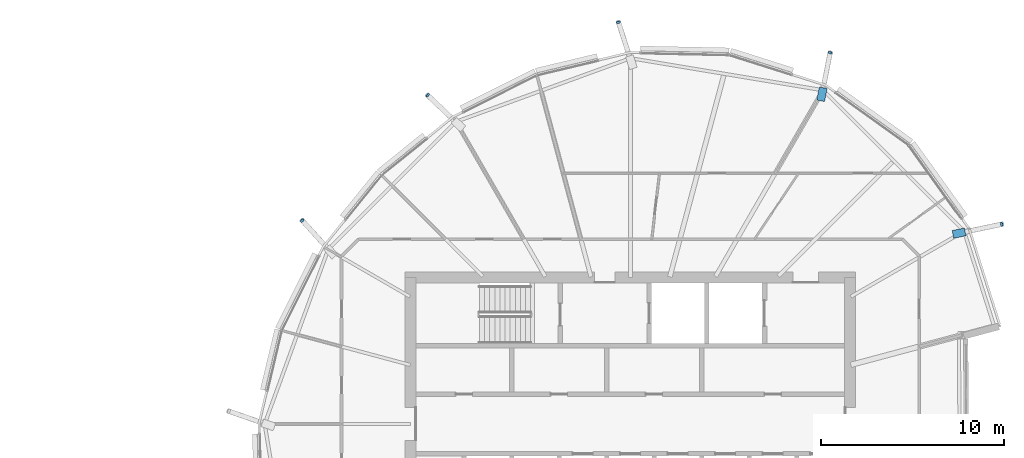
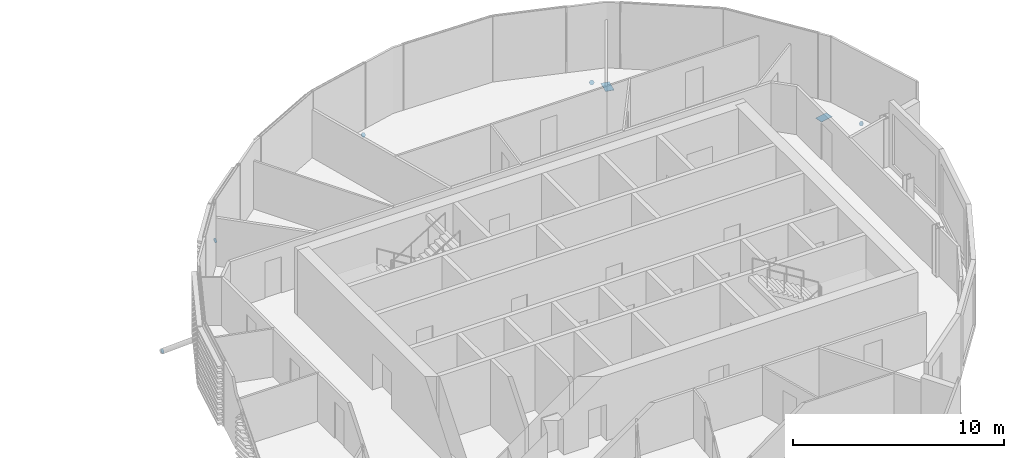
# One storey, part 29 of 35: 7 discrete accessories.
"""IFC4 building model written with IfcOpenShell, lengths in metres."""

from ifc_helpers import new_model, si_unit, direction, frame, origin, origin_2d, place, context, subcontext, project, spatial, polyline, rectangle, circle, outline, extrude, material, material_profile, profile_set, type_object, element, save


model = new_model("IFC4")

# Units and contexts
model_context = context("Model", 3, precision=1e-05, world=origin(), true_north=direction((0.0, 1.0)))
body_context = subcontext(model_context, "Body", "Model", "MODEL_VIEW")
ifc_project = project(units=[si_unit("LENGTHUNIT", "METRE"), si_unit("AREAUNIT", "SQUARE_METRE"), si_unit("VOLUMEUNIT", "CUBIC_METRE"), si_unit("PLANEANGLEUNIT", "RADIAN"), si_unit("MASSUNIT", "GRAM", prefix="KILO")], contexts=[model_context])

# Site, building, storey
site_placement = place(None, origin())
site = spatial("IfcSite", under=ifc_project, at=site_placement, CompositionType="ELEMENT")
building_placement = place(site_placement, origin())
building = spatial("IfcBuilding", under=site, at=building_placement, Name="Rimbun Link Towers", CompositionType="ELEMENT")
storey_placement = place(building_placement, frame((0.0, 0.0, 196.89990234375)))
storey = spatial("IfcBuildingStorey", under=building, at=storey_placement, Name="L48", CompositionType="ELEMENT", Elevation=196.89990234375)

# Discrete accessories
ifc_material_1 = material(Name="Steel S355J2H", Category="steel")
ifc_material_profile_1 = material_profile(ifc_material_1, circle(Radius=0.1240234375, at=origin_2d()), Name="PL D248")
ifc_profile_set_1 = profile_set([ifc_material_profile_1], Name="Steel S355J2H")
discrete_accessory_type_1 = type_object("IfcDiscreteAccessoryType", Name="Link foot sealing plate D248X20", PredefinedType="BRACKET", material=ifc_profile_set_1)
for number, where, z_axis, x_axis, name in (
    (1, (42.66064453125, 20.27197265625, -2.05029296875), (0.172106577508, 0.860532887539, -0.479439751629), (-0.980580675691, 0.196116135138, 0.0), "Link foot sealing plate T2 L48 01"),
    (2, (31.0986328125, 21.934814453125, -2.046875), (-0.258766726311, 0.837911304245, -0.480566777434), (-0.955474691182, -0.295073066394, 0.0), "Link foot sealing plate T2 L48 03"),
):
    element("IfcDiscreteAccessory", number, at=place(storey_placement, frame(where, z_axis=z_axis, x_axis=x_axis)), inside=storey, type_object=discrete_accessory_type_1, Name=name, PredefinedType="BRACKET", context=body_context, shape_type="SweptSolid", body=[
        extrude(circle(Radius=0.1240234375, at=origin_2d()), origin(), (0.0, 0.0, 1.0), 0.019775390625),
    ])
discrete_accessory_1_placement = place(storey_placement, frame((20.680908203125, 17.9482421875, -2.097412109375), z_axis=(-0.627417438637, 0.591220278716, -0.506760238899), x_axis=(-0.685801146497, -0.727788971793, 0.0)))
element("IfcDiscreteAccessory", 3, at=discrete_accessory_1_placement, inside=storey, type_object=discrete_accessory_type_1, Name="Link foot sealing plate T2 L48 05", PredefinedType="BRACKET", context=body_context, shape_type="SweptSolid", body=[
    extrude(circle(Radius=0.1240234375, at=origin_2d()), origin(), (0.0, 0.0, 1.0), 0.020263671875),
])
for number, where, z_axis, x_axis, name in (
    (4, (13.83056640625, 11.108642578125, -1.968017578125), (-0.560226254247, 0.621120412317, -0.548047422633), (-0.742569723569, -0.669768770278, 0.0), "Link foot sealing plate T2 L48 07"),
    (5, (52.023193359375, 10.907470703125, -2.031005859375), (0.832680806153, 0.17143428362, -0.526548156832), (-0.20165292067, 0.979457043257, 0.0), "Link foot sealing plate T2 L48 23"),
):
    element("IfcDiscreteAccessory", number, at=place(storey_placement, frame(where, z_axis=z_axis, x_axis=x_axis)), inside=storey, type_object=discrete_accessory_type_1, Name=name, PredefinedType="BRACKET", context=body_context, shape_type="SweptSolid", body=[
        extrude(circle(Radius=0.1240234375, at=origin_2d()), origin(), (0.0, 0.0, 1.0), 0.02001953125),
    ])
ifc_material_2 = material(Name="Steel S355J2H", Category="steel")
ifc_material_profile_2 = material_profile(ifc_material_2, rectangle(XDim=0.43310546875, YDim=0.43310546875, at=origin_2d()), Name="PL 433x433")
ifc_profile_set_2 = profile_set([ifc_material_profile_2], Name="Steel S355J2H")
discrete_accessory_type_2 = type_object("IfcDiscreteAccessoryType", Name="Link head end plate 433X20", PredefinedType="BRACKET", material=ifc_profile_set_2)
discrete_accessory_2_placement = place(storey_placement, frame((0.0, 0.0, -0.7724609375)))
element("IfcDiscreteAccessory", 6, at=discrete_accessory_2_placement, inside=storey, type_object=discrete_accessory_type_2, Name="Link head end plate T2 L48 01", PredefinedType="BRACKET", context=body_context, shape_type="SweptSolid", body=[
    extrude(outline(polyline([(42.356201171875, 17.611572265625), (42.496337890625, 18.3212890625), (42.0712890625, 18.4052734375), (41.931396484375, 17.6953125), (42.356201171875, 17.611572265625)])), origin(), (0.0, 0.0, 1.0), 0.02001953125),
])
discrete_accessory_3_placement = place(storey_placement, frame((0.0, 0.0, -0.576416015625)))
element("IfcDiscreteAccessory", 7, at=discrete_accessory_3_placement, inside=storey, type_object=discrete_accessory_type_2, Name="Link head end plate T2 L48 23", PredefinedType="BRACKET", context=body_context, shape_type="SweptSolid", body=[
    extrude(outline(polyline([(49.4111328125, 10.13818359375), (50.0791015625, 10.2783203125), (49.990234375, 10.7021484375), (49.322265625, 10.56201171875), (49.4111328125, 10.13818359375)])), origin(), (0.0, 0.0, 1.0), 0.02001953125),
])

save(model, "model.ifc")
